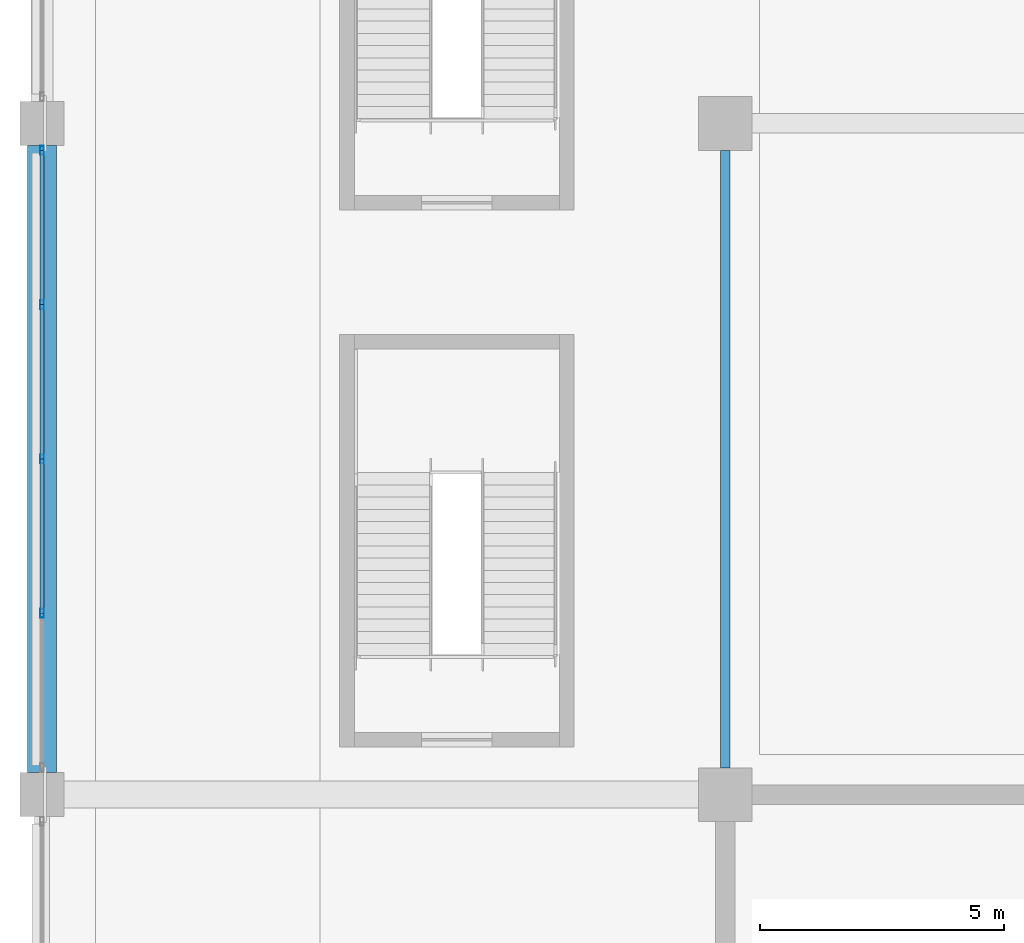
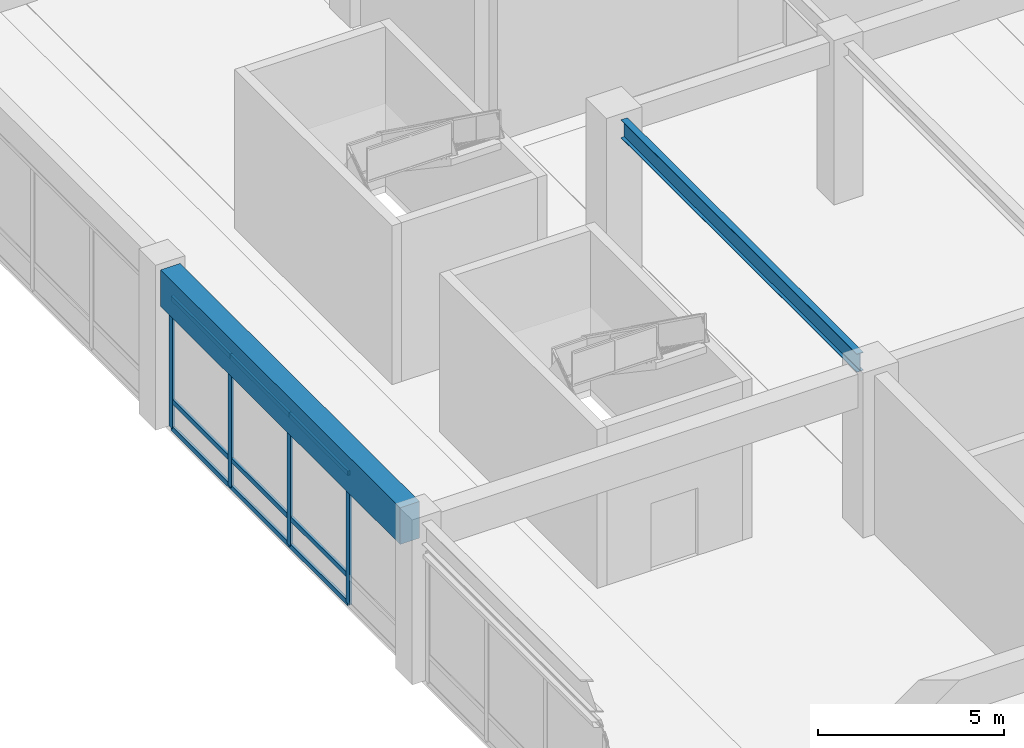
# One storey, part 45 of 117: 13 members, 2 beams, 1 element without a shape of its own.
"""IFC4 building model written with IfcOpenShell, lengths in metres."""

from ifc_helpers import new_model, si_unit, direction, frame, origin, origin_2d, place, context, subcontext, project, spatial, rectangle, hollow_rectangle, i_section, extrude, material, material_profile, profile_set, type_object, element, aggregate, save


model = new_model("IFC4")

# Units and contexts
model_context = context("Model", 3, precision=1e-05, world=origin(), true_north=direction((0.0, 1.0)))
body_context = subcontext(model_context, "Body", "Model", "MODEL_VIEW")
ifc_project = project(units=[si_unit("LENGTHUNIT", "METRE"), si_unit("AREAUNIT", "SQUARE_METRE"), si_unit("VOLUMEUNIT", "CUBIC_METRE"), si_unit("PLANEANGLEUNIT", "RADIAN"), si_unit("MASSUNIT", "GRAM", prefix="KILO")], contexts=[model_context])

# Site, building, storey
site_placement = place(None, origin())
site = spatial("IfcSite", under=ifc_project, at=site_placement, CompositionType="ELEMENT")
building_placement = place(site_placement, origin())
building = spatial("IfcBuilding", under=site, at=building_placement, Name="Linyun Crest Stadium", CompositionType="ELEMENT")
storey_placement = place(building_placement, frame((0.0, 0.0, 6.0)))
storey = spatial("IfcBuildingStorey", under=building, at=storey_placement, Name="L02", CompositionType="ELEMENT", Elevation=6.0)

# Beam
ifc_material_1 = material(Name="Steel Q355C", Category="steel")
ifc_material_profile_1 = material_profile(ifc_material_1, i_section(OverallWidth=0.199951171875, OverallDepth=0.60009765625, WebThickness=0.010986328125, FlangeThickness=0.01708984375, at=origin_2d()), Name="HN 600x200")
ifc_profile_set_1 = profile_set([ifc_material_profile_1], Name="Steel Q355C")
beam_type_1 = type_object("IfcBeamType", Name="B11", PredefinedType="BEAM", material=ifc_profile_set_1)
beam_1_placement = place(storey_placement, frame((-84.0, 16.425048828125, 4.89990234375), z_axis=(0.0, 1.0, 0.0), x_axis=(-1.0, 0.0, 0.0)))
element("IfcBeam", 1, at=beam_1_placement, inside=storey, type_object=beam_type_1, Name="Frame beam B11 L02 208", PredefinedType="BEAM", context=body_context, shape_type="SweptSolid", body=[
    extrude(i_section(OverallWidth=0.199951171875, OverallDepth=0.60009765625, WebThickness=0.010986328125, FlangeThickness=0.01708984375, at=origin_2d()), origin(), (0.0, 0.0, 1.0), 12.64990234375),
])

# Curtain wall, members
ifc_material_2 = material(Name="Verdigris steel and low-E curtain wall assembly", Category="steel")
curtain_wall_type = type_object("IfcCurtainWallType", Name="MCW01", PredefinedType="NOTDEFINED", material=ifc_material_2)
curtain_wall_placement = place(storey_placement, origin())
curtain_wall = element("IfcCurtainWall", 2, at=curtain_wall_placement, inside=storey, type_object=curtain_wall_type, Name="CWR-109", PredefinedType="NOTDEFINED")
ifc_material_3 = material(Name="Verdigris painted steel Q355B mullion", Category="steel")
ifc_material_profile_2 = material_profile(ifc_material_3, hollow_rectangle(XDim=0.080078125, YDim=0.179931640625, WallThickness=0.006103515625, at=origin_2d()), Name="RHS 180x80x6")
ifc_profile_set_2 = profile_set([ifc_material_profile_2], Name="Verdigris painted steel Q355B mullion")
member_type_1 = type_object("IfcMemberType", Name="ML02", PredefinedType="MULLION", material=ifc_profile_set_2)
member_1_placement = place(storey_placement, frame((-98.0, 19.587890625, 0.0), z_axis=(0.0, 0.0, 1.0), x_axis=(-1.0, 0.0, 0.0)))
member_1 = element("IfcMember", 3, at=member_1_placement, type_object=member_type_1, Name="CWR-109 mullion 2", PredefinedType="MULLION", context=body_context, shape_type="SweptSolid", body=[
    extrude(hollow_rectangle(XDim=0.080078125, YDim=0.179931640625, WallThickness=0.006103515625, at=origin_2d()), origin(), (0.0, 0.0, 1.0), 4.25),
])
member_2_placement = place(storey_placement, frame((-98.0, 22.75, 0.0), z_axis=(0.0, 0.0, 1.0), x_axis=(-1.0, 0.0, 0.0)))
member_2 = element("IfcMember", 4, at=member_2_placement, type_object=member_type_1, Name="CWR-109 mullion 3", PredefinedType="MULLION", context=body_context, shape_type="SweptSolid", body=[
    extrude(hollow_rectangle(XDim=0.080078125, YDim=0.179931640625, WallThickness=0.006103515625, at=origin_2d()), origin(), (0.0, 0.0, 1.0), 4.25),
])
member_3_placement = place(storey_placement, frame((-98.0, 25.912109375, 0.0), z_axis=(0.0, 0.0, 1.0), x_axis=(-1.0, 0.0, 0.0)))
member_3 = element("IfcMember", 5, at=member_3_placement, type_object=member_type_1, Name="CWR-109 mullion 4", PredefinedType="MULLION", context=body_context, shape_type="SweptSolid", body=[
    extrude(hollow_rectangle(XDim=0.080078125, YDim=0.179931640625, WallThickness=0.006103515625, at=origin_2d()), origin(), (0.0, 0.0, 1.0), 4.25),
])
member_4_placement = place(storey_placement, frame((-98.0, 29.074951171875, 0.0), z_axis=(0.0, 0.0, 1.0), x_axis=(-1.0, 0.0, 0.0)))
member_4 = element("IfcMember", 6, at=member_4_placement, type_object=member_type_1, Name="CWR-109 mullion 5", PredefinedType="MULLION", context=body_context, shape_type="SweptSolid", body=[
    extrude(hollow_rectangle(XDim=0.080078125, YDim=0.179931640625, WallThickness=0.006103515625, at=origin_2d()), origin(), (0.0, 0.0, 1.0), 4.25),
])

# Beam
ifc_material_4 = material(Name="Concrete C50", Category="concrete")
ifc_material_profile_3 = material_profile(ifc_material_4, rectangle(XDim=0.60009765625, YDim=1.199951171875, at=origin_2d()), Name="RCB 1200x600")
ifc_profile_set_3 = profile_set([ifc_material_profile_3], Name="Concrete C50")
beam_type_2 = type_object("IfcBeamType", Name="TB02", PredefinedType="USERDEFINED", material=ifc_profile_set_3)
beam_2_placement = place(storey_placement, frame((-98.0, 16.324951171875, 4.60009765625), z_axis=(0.0, 1.0, 0.0), x_axis=(-1.0, 0.0, 0.0)))
element("IfcBeam", 7, at=beam_2_placement, inside=storey, type_object=beam_type_2, Name="Frame beam TB02 L02 203", ObjectType="GIRDER", PredefinedType="USERDEFINED", context=body_context, shape_type="SweptSolid", body=[
    extrude(rectangle(XDim=0.60009765625, YDim=1.199951171875, at=origin_2d()), origin(), (0.0, 0.0, 1.0), 12.85009765625),
])

# Member
ifc_material_5 = material(Name="Aluminium thermally broken transom", Category="aluminium")
ifc_material_profile_4 = material_profile(ifc_material_5, hollow_rectangle(XDim=0.080078125, YDim=0.159912109375, WallThickness=0.006103515625, at=origin_2d()), Name="RHS 160x80x6")
ifc_profile_set_4 = profile_set([ifc_material_profile_4], Name="Aluminium thermally broken transom")
member_type_2 = type_object("IfcMemberType", Name="TR01", PredefinedType="USERDEFINED", material=ifc_profile_set_4)
member_5_placement = place(storey_placement, frame((-98.0, 19.587890625, 0.0), z_axis=(0.0, 1.0, 0.0), x_axis=(-1.0, 0.0, 0.0)))
member_5 = element("IfcMember", 8, at=member_5_placement, type_object=member_type_2, Name="CWR-109 transom 2.1", ObjectType="TRANSOM", PredefinedType="USERDEFINED", context=body_context, shape_type="SweptSolid", body=[
    extrude(hollow_rectangle(XDim=0.080078125, YDim=0.159912109375, WallThickness=0.006103515625, at=origin_2d()), origin(), (0.0, 0.0, 1.0), 3.162109375),
])

member_6_placement = place(storey_placement, frame((-98.0, 19.587890625, 0.89990234375), z_axis=(0.0, 1.0, 0.0), x_axis=(-1.0, 0.0, 0.0)))
member_6 = element("IfcMember", 9, at=member_6_placement, type_object=member_type_2, Name="CWR-109 transom 2.2", ObjectType="TRANSOM", PredefinedType="USERDEFINED", context=body_context, shape_type="SweptSolid", body=[
    extrude(hollow_rectangle(XDim=0.080078125, YDim=0.159912109375, WallThickness=0.006103515625, at=origin_2d()), origin(), (0.0, 0.0, 1.0), 3.162109375),
])

member_7_placement = place(storey_placement, frame((-98.0, 19.587890625, 4.25), z_axis=(0.0, 1.0, 0.0), x_axis=(-1.0, 0.0, 0.0)))
member_7 = element("IfcMember", 10, at=member_7_placement, type_object=member_type_2, Name="CWR-109 transom 2.3", ObjectType="TRANSOM", PredefinedType="USERDEFINED", context=body_context, shape_type="SweptSolid", body=[
    extrude(hollow_rectangle(XDim=0.080078125, YDim=0.159912109375, WallThickness=0.006103515625, at=origin_2d()), origin(), (0.0, 0.0, 1.0), 3.162109375),
])

member_8_placement = place(storey_placement, frame((-98.0, 22.75, 0.0), z_axis=(0.0, 1.0, 0.0), x_axis=(-1.0, 0.0, 0.0)))
member_8 = element("IfcMember", 11, at=member_8_placement, type_object=member_type_2, Name="CWR-109 transom 3.1", ObjectType="TRANSOM", PredefinedType="USERDEFINED", context=body_context, shape_type="SweptSolid", body=[
    extrude(hollow_rectangle(XDim=0.080078125, YDim=0.159912109375, WallThickness=0.006103515625, at=origin_2d()), origin(), (0.0, 0.0, 1.0), 3.162109375),
])

member_9_placement = place(storey_placement, frame((-98.0, 22.75, 0.89990234375), z_axis=(0.0, 1.0, 0.0), x_axis=(-1.0, 0.0, 0.0)))
member_9 = element("IfcMember", 12, at=member_9_placement, type_object=member_type_2, Name="CWR-109 transom 3.2", ObjectType="TRANSOM", PredefinedType="USERDEFINED", context=body_context, shape_type="SweptSolid", body=[
    extrude(hollow_rectangle(XDim=0.080078125, YDim=0.159912109375, WallThickness=0.006103515625, at=origin_2d()), origin(), (0.0, 0.0, 1.0), 3.162109375),
])

member_10_placement = place(storey_placement, frame((-98.0, 22.75, 4.25), z_axis=(0.0, 1.0, 0.0), x_axis=(-1.0, 0.0, 0.0)))
member_10 = element("IfcMember", 13, at=member_10_placement, type_object=member_type_2, Name="CWR-109 transom 3.3", ObjectType="TRANSOM", PredefinedType="USERDEFINED", context=body_context, shape_type="SweptSolid", body=[
    extrude(hollow_rectangle(XDim=0.080078125, YDim=0.159912109375, WallThickness=0.006103515625, at=origin_2d()), origin(), (0.0, 0.0, 1.0), 3.162109375),
])

member_11_placement = place(storey_placement, frame((-98.0, 25.912109375, 0.0), z_axis=(0.0, 1.0, 0.0), x_axis=(-1.0, 0.0, 0.0)))
member_11 = element("IfcMember", 14, at=member_11_placement, type_object=member_type_2, Name="CWR-109 transom 4.1", ObjectType="TRANSOM", PredefinedType="USERDEFINED", context=body_context, shape_type="SweptSolid", body=[
    extrude(hollow_rectangle(XDim=0.080078125, YDim=0.159912109375, WallThickness=0.006103515625, at=origin_2d()), origin(), (0.0, 0.0, 1.0), 3.162841796875),
])

member_12_placement = place(storey_placement, frame((-98.0, 25.912109375, 0.89990234375), z_axis=(0.0, 1.0, 0.0), x_axis=(-1.0, 0.0, 0.0)))
member_12 = element("IfcMember", 15, at=member_12_placement, type_object=member_type_2, Name="CWR-109 transom 4.2", ObjectType="TRANSOM", PredefinedType="USERDEFINED", context=body_context, shape_type="SweptSolid", body=[
    extrude(hollow_rectangle(XDim=0.080078125, YDim=0.159912109375, WallThickness=0.006103515625, at=origin_2d()), origin(), (0.0, 0.0, 1.0), 3.162841796875),
])

member_13_placement = place(storey_placement, frame((-98.0, 25.912109375, 4.25), z_axis=(0.0, 1.0, 0.0), x_axis=(-1.0, 0.0, 0.0)))
member_13 = element("IfcMember", 16, at=member_13_placement, type_object=member_type_2, Name="CWR-109 transom 4.3", ObjectType="TRANSOM", PredefinedType="USERDEFINED", context=body_context, shape_type="SweptSolid", body=[
    extrude(hollow_rectangle(XDim=0.080078125, YDim=0.159912109375, WallThickness=0.006103515625, at=origin_2d()), origin(), (0.0, 0.0, 1.0), 3.162841796875),
])

aggregate(curtain_wall, [member_1, member_2, member_3, member_4, member_5, member_6, member_7, member_8, member_9, member_10, member_11, member_12, member_13])

save(model, "model.ifc")
